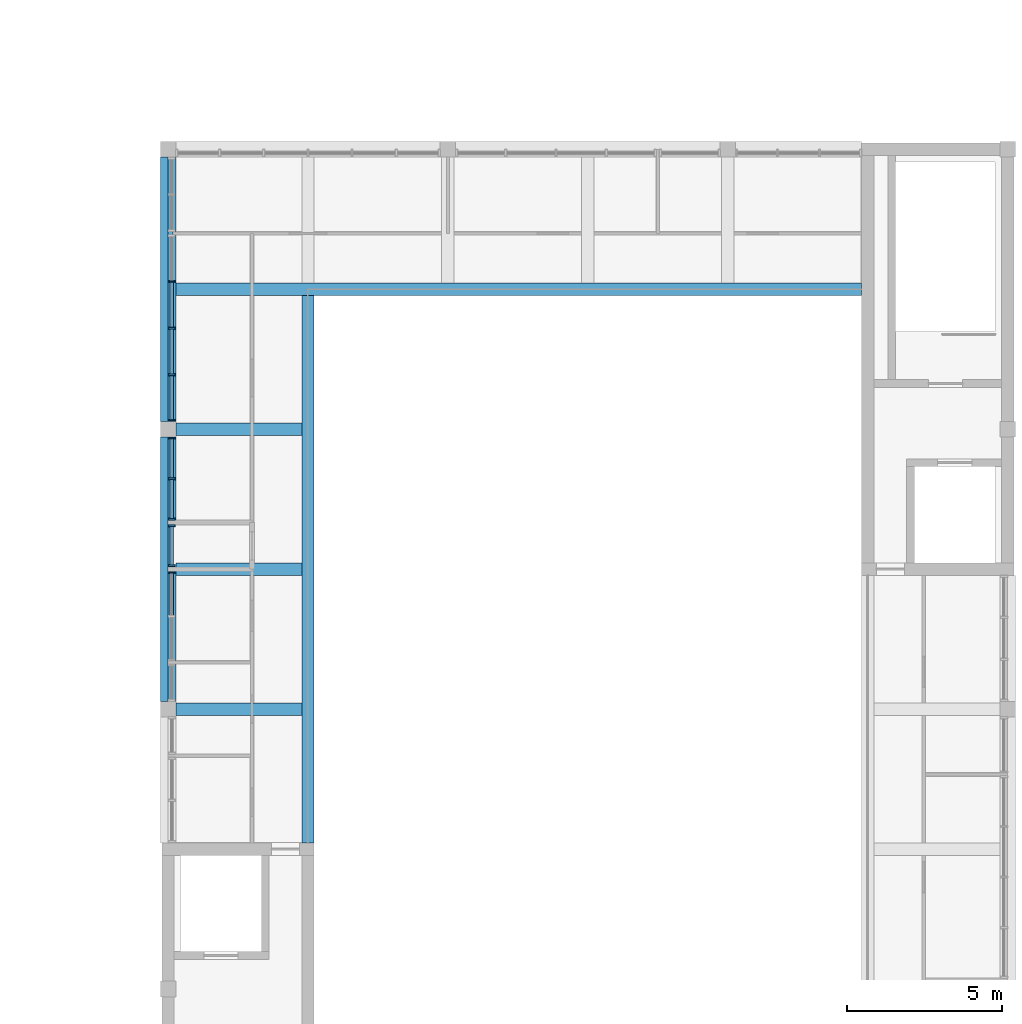
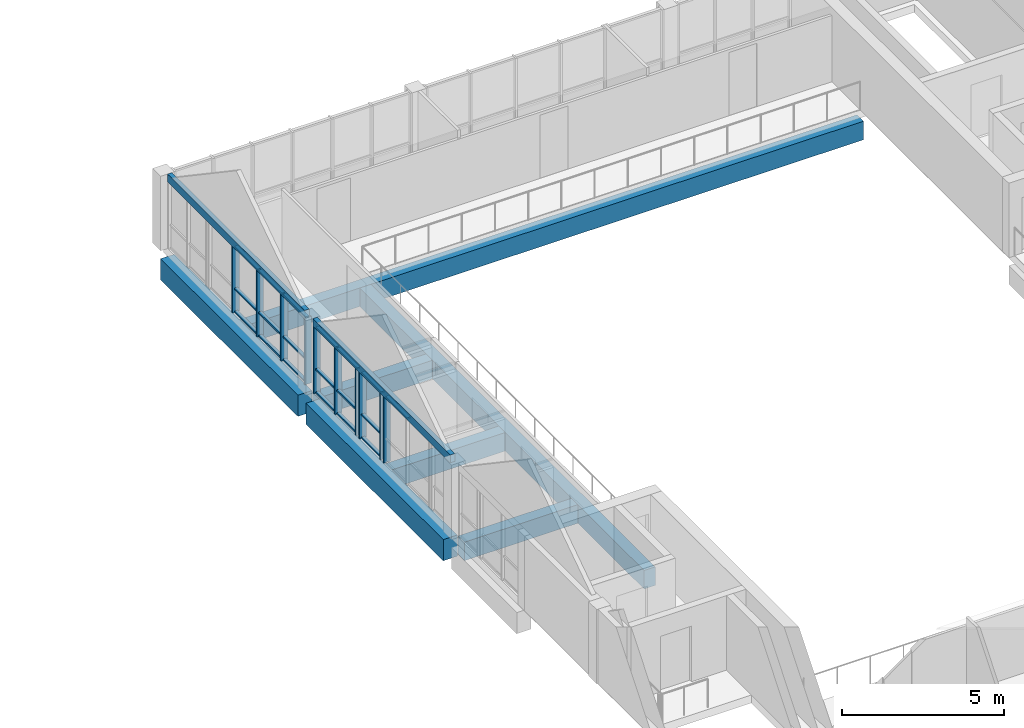
# One storey, part 4 of 50: 29 members, 9 beams, 4 elements without a shape of their own.
"""IFC4 building model written with IfcOpenShell, lengths in metres."""

from ifc_helpers import new_model, si_unit, direction, frame, origin, origin_2d, place, context, subcontext, project, spatial, rectangle, extrude, material, material_profile, profile_set, type_object, element, aggregate, save


model = new_model("IFC4")

# Units and contexts
model_context = context("Model", 3, precision=1e-05, world=origin(), true_north=direction((0.0, 1.0)))
body_context = subcontext(model_context, "Body", "Model", "MODEL_VIEW")
ifc_project = project(units=[si_unit("LENGTHUNIT", "METRE"), si_unit("AREAUNIT", "SQUARE_METRE"), si_unit("VOLUMEUNIT", "CUBIC_METRE"), si_unit("PLANEANGLEUNIT", "RADIAN"), si_unit("MASSUNIT", "GRAM", prefix="KILO")], contexts=[model_context])

# Site, building, storey
site_placement = place(None, origin())
site = spatial("IfcSite", under=ifc_project, at=site_placement, CompositionType="ELEMENT")
building_placement = place(site_placement, origin())
building = spatial("IfcBuilding", under=site, at=building_placement, Name="Merrow Basin Faculty of Sciences", CompositionType="ELEMENT")
storey_placement = place(building_placement, frame((0.0, 0.0, 18.0)))
storey = spatial("IfcBuildingStorey", under=building, at=storey_placement, Name="L04", CompositionType="ELEMENT", Elevation=18.0)

# Curtain wall, member
ifc_material_1 = material(Name="Aluminium alloy 6063", Category="aluminium")
curtain_wall_type = type_object("IfcCurtainWallType", Name="Atrium unitised curtain wall 240", PredefinedType="NOTDEFINED", material=ifc_material_1)
curtain_wall_1_placement = place(storey_placement, origin())
curtain_wall_1 = element("IfcCurtainWall", 1, at=curtain_wall_1_placement, inside=storey, type_object=curtain_wall_type, Name="W curtain wall L04 4", PredefinedType="NOTDEFINED")
ifc_material_2 = material(Name="Aluminium alloy 6063", Category="aluminium")
ifc_material_profile_1 = material_profile(ifc_material_2, rectangle(XDim=0.239990234375, YDim=0.06005859375, at=origin_2d()))
ifc_profile_set_1 = profile_set([ifc_material_profile_1], Name="Aluminium alloy 6063")
member_type_1 = type_object("IfcMemberType", Name="Aluminium mullion 60x240", PredefinedType="MULLION", material=ifc_profile_set_1)
member_1_placement = place(storey_placement, frame((45.1201171875, 22.39501953125, 0.0), z_axis=(0.0, 0.0, 1.0), x_axis=(-1.0, 0.0, 0.0)))
member_1 = element("IfcMember", 2, at=member_1_placement, type_object=member_type_1, Name="CW5 mullion 3", PredefinedType="MULLION", context=body_context, shape_type="SweptSolid", body=[
    extrude(rectangle(XDim=0.239990234375, YDim=0.06005859375, at=origin_2d()), origin(), (0.0, 0.0, 1.0), 2.512939453125),
])

# Curtain wall, members
curtain_wall_2_placement = place(storey_placement, origin())
curtain_wall_2 = element("IfcCurtainWall", 3, at=curtain_wall_2_placement, inside=storey, type_object=curtain_wall_type, Name="W curtain wall L04 5", PredefinedType="NOTDEFINED")
member_2_placement = place(storey_placement, frame((45.1201171875, 22.60498046875, 0.0), z_axis=(0.0, 0.0, 1.0), x_axis=(-1.0, 0.0, 0.0)))
member_2 = element("IfcMember", 4, at=member_2_placement, type_object=member_type_1, Name="CW5 mullion 1", PredefinedType="MULLION", context=body_context, shape_type="SweptSolid", body=[
    extrude(rectangle(XDim=0.239990234375, YDim=0.06005859375, at=origin_2d()), origin(), (0.0, 0.0, 1.0), 2.512939453125),
])
member_3_placement = place(storey_placement, frame((45.1201171875, 23.89501953125, 0.0), z_axis=(0.0, 0.0, 1.0), x_axis=(-1.0, 0.0, 0.0)))
member_3 = element("IfcMember", 5, at=member_3_placement, type_object=member_type_1, Name="CW5 mullion 2", PredefinedType="MULLION", context=body_context, shape_type="SweptSolid", body=[
    extrude(rectangle(XDim=0.239990234375, YDim=0.06005859375, at=origin_2d()), origin(), (0.0, 0.0, 1.0), 2.512939453125),
])

curtain_wall_3_placement = place(storey_placement, origin())
curtain_wall_3 = element("IfcCurtainWall", 6, at=curtain_wall_3_placement, inside=storey, type_object=curtain_wall_type, Name="W curtain wall L04 6", PredefinedType="NOTDEFINED")
member_4_placement = place(storey_placement, frame((45.1201171875, 24.10498046875, 0.0), z_axis=(0.0, 0.0, 1.0), x_axis=(-1.0, 0.0, 0.0)))
member_4 = element("IfcMember", 7, at=member_4_placement, type_object=member_type_1, Name="CW5 mullion 1", PredefinedType="MULLION", context=body_context, shape_type="SweptSolid", body=[
    extrude(rectangle(XDim=0.239990234375, YDim=0.06005859375, at=origin_2d()), origin(), (0.0, 0.0, 1.0), 2.512939453125),
])
member_5_placement = place(storey_placement, frame((45.1201171875, 25.41259765625, 0.0), z_axis=(0.0, 0.0, 1.0), x_axis=(-1.0, 0.0, 0.0)))
member_5 = element("IfcMember", 8, at=member_5_placement, type_object=member_type_1, Name="CW5 mullion 2", PredefinedType="MULLION", context=body_context, shape_type="SweptSolid", body=[
    extrude(rectangle(XDim=0.239990234375, YDim=0.06005859375, at=origin_2d()), origin(), (0.0, 0.0, 1.0), 2.512939453125),
])
member_6_placement = place(storey_placement, frame((45.1201171875, 26.719970703125, 0.0), z_axis=(0.0, 0.0, 1.0), x_axis=(-1.0, 0.0, 0.0)))
member_6 = element("IfcMember", 9, at=member_6_placement, type_object=member_type_1, Name="CW5 mullion 3", PredefinedType="MULLION", context=body_context, shape_type="SweptSolid", body=[
    extrude(rectangle(XDim=0.239990234375, YDim=0.06005859375, at=origin_2d()), origin(), (0.0, 0.0, 1.0), 2.512939453125),
])

curtain_wall_4_placement = place(storey_placement, origin())
curtain_wall_4 = element("IfcCurtainWall", 10, at=curtain_wall_4_placement, inside=storey, type_object=curtain_wall_type, Name="W curtain wall L04 7", PredefinedType="NOTDEFINED")
member_7_placement = place(storey_placement, frame((45.1201171875, 27.280029296875, 0.0), z_axis=(0.0, 0.0, 1.0), x_axis=(-1.0, 0.0, 0.0)))
member_7 = element("IfcMember", 11, at=member_7_placement, type_object=member_type_1, Name="CW5 mullion 1", PredefinedType="MULLION", context=body_context, shape_type="SweptSolid", body=[
    extrude(rectangle(XDim=0.239990234375, YDim=0.06005859375, at=origin_2d()), origin(), (0.0, 0.0, 1.0), 2.512939453125),
])
member_8_placement = place(storey_placement, frame((45.1201171875, 28.75, 0.0), z_axis=(0.0, 0.0, 1.0), x_axis=(-1.0, 0.0, 0.0)))
member_8 = element("IfcMember", 12, at=member_8_placement, type_object=member_type_1, Name="CW5 mullion 2", PredefinedType="MULLION", context=body_context, shape_type="SweptSolid", body=[
    extrude(rectangle(XDim=0.239990234375, YDim=0.06005859375, at=origin_2d()), origin(), (0.0, 0.0, 1.0), 2.512939453125),
])
member_9_placement = place(storey_placement, frame((45.1201171875, 30.25, 0.0), z_axis=(0.0, 0.0, 1.0), x_axis=(-1.0, 0.0, 0.0)))
member_9 = element("IfcMember", 13, at=member_9_placement, type_object=member_type_1, Name="CW5 mullion 3", PredefinedType="MULLION", context=body_context, shape_type="SweptSolid", body=[
    extrude(rectangle(XDim=0.239990234375, YDim=0.06005859375, at=origin_2d()), origin(), (0.0, 0.0, 1.0), 2.512939453125),
])
member_10_placement = place(storey_placement, frame((45.1201171875, 31.75, 0.0), z_axis=(0.0, 0.0, 1.0), x_axis=(-1.0, 0.0, 0.0)))
member_10 = element("IfcMember", 14, at=member_10_placement, type_object=member_type_1, Name="CW5 mullion 4", PredefinedType="MULLION", context=body_context, shape_type="SweptSolid", body=[
    extrude(rectangle(XDim=0.239990234375, YDim=0.06005859375, at=origin_2d()), origin(), (0.0, 0.0, 1.0), 2.512939453125),
])

# Member
ifc_material_3 = material(Name="Aluminium alloy 6063", Category="aluminium")
ifc_material_profile_2 = material_profile(ifc_material_3, rectangle(XDim=0.1201171875, YDim=0.06005859375, at=origin_2d()))
ifc_profile_set_2 = profile_set([ifc_material_profile_2], Name="Aluminium alloy 6063")
member_type_2 = type_object("IfcMemberType", Name="Aluminium transom 60x120", PredefinedType="USERDEFINED", material=ifc_profile_set_2)
member_11_placement = place(storey_placement, frame((45.1201171875, 21.017578125, 2.48291015625), z_axis=(0.0, 1.0, 0.0), x_axis=(-1.0, 0.0, 0.0)))
member_11 = element("IfcMember", 15, at=member_11_placement, type_object=member_type_2, Name="CW5 transom 2.3", ObjectType="TRANSOM", PredefinedType="USERDEFINED", context=body_context, shape_type="SweptSolid", body=[
    extrude(rectangle(XDim=0.1201171875, YDim=0.06005859375, at=origin_2d()), origin(), (0.0, 0.0, 1.0), 1.347412109375),
])

aggregate(curtain_wall_1, [member_1, member_11])

member_12_placement = place(storey_placement, frame((45.1201171875, 22.635009765625, 0.030029296875), z_axis=(0.0, 1.0, 0.0), x_axis=(-1.0, 0.0, 0.0)))
member_12 = element("IfcMember", 16, at=member_12_placement, type_object=member_type_2, Name="CW5 transom 1.1", ObjectType="TRANSOM", PredefinedType="USERDEFINED", context=body_context, shape_type="SweptSolid", body=[
    extrude(rectangle(XDim=0.1201171875, YDim=0.06005859375, at=origin_2d()), origin(), (0.0, 0.0, 1.0), 1.22998046875),
])

member_13_placement = place(storey_placement, frame((45.1201171875, 22.635009765625, 0.89990234375), z_axis=(0.0, 1.0, 0.0), x_axis=(-1.0, 0.0, 0.0)))
member_13 = element("IfcMember", 17, at=member_13_placement, type_object=member_type_2, Name="CW5 transom 1.2", ObjectType="TRANSOM", PredefinedType="USERDEFINED", context=body_context, shape_type="SweptSolid", body=[
    extrude(rectangle(XDim=0.1201171875, YDim=0.06005859375, at=origin_2d()), origin(), (0.0, 0.0, 1.0), 1.22998046875),
])

member_14_placement = place(storey_placement, frame((45.1201171875, 22.635009765625, 2.48291015625), z_axis=(0.0, 1.0, 0.0), x_axis=(-1.0, 0.0, 0.0)))
member_14 = element("IfcMember", 18, at=member_14_placement, type_object=member_type_2, Name="CW5 transom 1.3", ObjectType="TRANSOM", PredefinedType="USERDEFINED", context=body_context, shape_type="SweptSolid", body=[
    extrude(rectangle(XDim=0.1201171875, YDim=0.06005859375, at=origin_2d()), origin(), (0.0, 0.0, 1.0), 1.22998046875),
])

aggregate(curtain_wall_2, [member_2, member_3, member_12, member_13, member_14])

member_15_placement = place(storey_placement, frame((45.1201171875, 24.135009765625, 0.030029296875), z_axis=(0.0, 1.0, 0.0), x_axis=(-1.0, 0.0, 0.0)))
member_15 = element("IfcMember", 19, at=member_15_placement, type_object=member_type_2, Name="CW5 transom 1.1", ObjectType="TRANSOM", PredefinedType="USERDEFINED", context=body_context, shape_type="SweptSolid", body=[
    extrude(rectangle(XDim=0.1201171875, YDim=0.06005859375, at=origin_2d()), origin(), (0.0, 0.0, 1.0), 1.24755859375),
])

member_16_placement = place(storey_placement, frame((45.1201171875, 24.135009765625, 0.89990234375), z_axis=(0.0, 1.0, 0.0), x_axis=(-1.0, 0.0, 0.0)))
member_16 = element("IfcMember", 20, at=member_16_placement, type_object=member_type_2, Name="CW5 transom 1.2", ObjectType="TRANSOM", PredefinedType="USERDEFINED", context=body_context, shape_type="SweptSolid", body=[
    extrude(rectangle(XDim=0.1201171875, YDim=0.06005859375, at=origin_2d()), origin(), (0.0, 0.0, 1.0), 1.24755859375),
])

member_17_placement = place(storey_placement, frame((45.1201171875, 24.135009765625, 2.48291015625), z_axis=(0.0, 1.0, 0.0), x_axis=(-1.0, 0.0, 0.0)))
member_17 = element("IfcMember", 21, at=member_17_placement, type_object=member_type_2, Name="CW5 transom 1.3", ObjectType="TRANSOM", PredefinedType="USERDEFINED", context=body_context, shape_type="SweptSolid", body=[
    extrude(rectangle(XDim=0.1201171875, YDim=0.06005859375, at=origin_2d()), origin(), (0.0, 0.0, 1.0), 1.24755859375),
])

member_18_placement = place(storey_placement, frame((45.1201171875, 25.4423828125, 0.030029296875), z_axis=(0.0, 1.0, 0.0), x_axis=(-1.0, 0.0, 0.0)))
member_18 = element("IfcMember", 22, at=member_18_placement, type_object=member_type_2, Name="CW5 transom 2.1", ObjectType="TRANSOM", PredefinedType="USERDEFINED", context=body_context, shape_type="SweptSolid", body=[
    extrude(rectangle(XDim=0.1201171875, YDim=0.06005859375, at=origin_2d()), origin(), (0.0, 0.0, 1.0), 1.24755859375),
])

member_19_placement = place(storey_placement, frame((45.1201171875, 25.4423828125, 0.89990234375), z_axis=(0.0, 1.0, 0.0), x_axis=(-1.0, 0.0, 0.0)))
member_19 = element("IfcMember", 23, at=member_19_placement, type_object=member_type_2, Name="CW5 transom 2.2", ObjectType="TRANSOM", PredefinedType="USERDEFINED", context=body_context, shape_type="SweptSolid", body=[
    extrude(rectangle(XDim=0.1201171875, YDim=0.06005859375, at=origin_2d()), origin(), (0.0, 0.0, 1.0), 1.24755859375),
])

member_20_placement = place(storey_placement, frame((45.1201171875, 25.4423828125, 2.48291015625), z_axis=(0.0, 1.0, 0.0), x_axis=(-1.0, 0.0, 0.0)))
member_20 = element("IfcMember", 24, at=member_20_placement, type_object=member_type_2, Name="CW5 transom 2.3", ObjectType="TRANSOM", PredefinedType="USERDEFINED", context=body_context, shape_type="SweptSolid", body=[
    extrude(rectangle(XDim=0.1201171875, YDim=0.06005859375, at=origin_2d()), origin(), (0.0, 0.0, 1.0), 1.24755859375),
])

aggregate(curtain_wall_3, [member_4, member_5, member_6, member_15, member_16, member_17, member_18, member_19, member_20])

member_21_placement = place(storey_placement, frame((45.1201171875, 27.31005859375, 0.030029296875), z_axis=(0.0, 1.0, 0.0), x_axis=(-1.0, 0.0, 0.0)))
member_21 = element("IfcMember", 25, at=member_21_placement, type_object=member_type_2, Name="CW5 transom 1.1", ObjectType="TRANSOM", PredefinedType="USERDEFINED", context=body_context, shape_type="SweptSolid", body=[
    extrude(rectangle(XDim=0.1201171875, YDim=0.06005859375, at=origin_2d()), origin(), (0.0, 0.0, 1.0), 1.409912109375),
])

member_22_placement = place(storey_placement, frame((45.1201171875, 27.31005859375, 0.89990234375), z_axis=(0.0, 1.0, 0.0), x_axis=(-1.0, 0.0, 0.0)))
member_22 = element("IfcMember", 26, at=member_22_placement, type_object=member_type_2, Name="CW5 transom 1.2", ObjectType="TRANSOM", PredefinedType="USERDEFINED", context=body_context, shape_type="SweptSolid", body=[
    extrude(rectangle(XDim=0.1201171875, YDim=0.06005859375, at=origin_2d()), origin(), (0.0, 0.0, 1.0), 1.409912109375),
])

member_23_placement = place(storey_placement, frame((45.1201171875, 27.31005859375, 2.48291015625), z_axis=(0.0, 1.0, 0.0), x_axis=(-1.0, 0.0, 0.0)))
member_23 = element("IfcMember", 27, at=member_23_placement, type_object=member_type_2, Name="CW5 transom 1.3", ObjectType="TRANSOM", PredefinedType="USERDEFINED", context=body_context, shape_type="SweptSolid", body=[
    extrude(rectangle(XDim=0.1201171875, YDim=0.06005859375, at=origin_2d()), origin(), (0.0, 0.0, 1.0), 1.409912109375),
])

member_24_placement = place(storey_placement, frame((45.1201171875, 28.780029296875, 0.030029296875), z_axis=(0.0, 1.0, 0.0), x_axis=(-1.0, 0.0, 0.0)))
member_24 = element("IfcMember", 28, at=member_24_placement, type_object=member_type_2, Name="CW5 transom 2.1", ObjectType="TRANSOM", PredefinedType="USERDEFINED", context=body_context, shape_type="SweptSolid", body=[
    extrude(rectangle(XDim=0.1201171875, YDim=0.06005859375, at=origin_2d()), origin(), (0.0, 0.0, 1.0), 1.43994140625),
])

member_25_placement = place(storey_placement, frame((45.1201171875, 28.780029296875, 0.89990234375), z_axis=(0.0, 1.0, 0.0), x_axis=(-1.0, 0.0, 0.0)))
member_25 = element("IfcMember", 29, at=member_25_placement, type_object=member_type_2, Name="CW5 transom 2.2", ObjectType="TRANSOM", PredefinedType="USERDEFINED", context=body_context, shape_type="SweptSolid", body=[
    extrude(rectangle(XDim=0.1201171875, YDim=0.06005859375, at=origin_2d()), origin(), (0.0, 0.0, 1.0), 1.43994140625),
])

member_26_placement = place(storey_placement, frame((45.1201171875, 28.780029296875, 2.48291015625), z_axis=(0.0, 1.0, 0.0), x_axis=(-1.0, 0.0, 0.0)))
member_26 = element("IfcMember", 30, at=member_26_placement, type_object=member_type_2, Name="CW5 transom 2.3", ObjectType="TRANSOM", PredefinedType="USERDEFINED", context=body_context, shape_type="SweptSolid", body=[
    extrude(rectangle(XDim=0.1201171875, YDim=0.06005859375, at=origin_2d()), origin(), (0.0, 0.0, 1.0), 1.43994140625),
])

member_27_placement = place(storey_placement, frame((45.1201171875, 30.280029296875, 0.030029296875), z_axis=(0.0, 1.0, 0.0), x_axis=(-1.0, 0.0, 0.0)))
member_27 = element("IfcMember", 31, at=member_27_placement, type_object=member_type_2, Name="CW5 transom 3.1", ObjectType="TRANSOM", PredefinedType="USERDEFINED", context=body_context, shape_type="SweptSolid", body=[
    extrude(rectangle(XDim=0.1201171875, YDim=0.06005859375, at=origin_2d()), origin(), (0.0, 0.0, 1.0), 1.43994140625),
])

member_28_placement = place(storey_placement, frame((45.1201171875, 30.280029296875, 0.89990234375), z_axis=(0.0, 1.0, 0.0), x_axis=(-1.0, 0.0, 0.0)))
member_28 = element("IfcMember", 32, at=member_28_placement, type_object=member_type_2, Name="CW5 transom 3.2", ObjectType="TRANSOM", PredefinedType="USERDEFINED", context=body_context, shape_type="SweptSolid", body=[
    extrude(rectangle(XDim=0.1201171875, YDim=0.06005859375, at=origin_2d()), origin(), (0.0, 0.0, 1.0), 1.43994140625),
])

member_29_placement = place(storey_placement, frame((45.1201171875, 30.280029296875, 2.48291015625), z_axis=(0.0, 1.0, 0.0), x_axis=(-1.0, 0.0, 0.0)))
member_29 = element("IfcMember", 33, at=member_29_placement, type_object=member_type_2, Name="CW5 transom 3.3", ObjectType="TRANSOM", PredefinedType="USERDEFINED", context=body_context, shape_type="SweptSolid", body=[
    extrude(rectangle(XDim=0.1201171875, YDim=0.06005859375, at=origin_2d()), origin(), (0.0, 0.0, 1.0), 1.43994140625),
])

aggregate(curtain_wall_4, [member_7, member_8, member_9, member_10, member_21, member_22, member_23, member_24, member_25, member_26, member_27, member_28, member_29])

# Beams
ifc_material_4 = material(Name="Concrete C40/50", Category="concrete")
ifc_material_profile_3 = material_profile(ifc_material_4, rectangle(XDim=0.5, YDim=0.800048828125, at=origin_2d()))
ifc_profile_set_3 = profile_set([ifc_material_profile_3], Name="Concrete C40/50")
beam_type_1 = type_object("IfcBeamType", Name="Beam RC500x800 C40/50", PredefinedType="BEAM", material=ifc_profile_set_3)
for number, where, z_axis, x_axis, name in (
    (34, (45.0, 18.25, -0.699951171875), (0.0, 1.0, 0.0), (-1.0, 0.0, 0.0), "B4 L04 008"),
    (35, (45.0, 27.25, -0.699951171875), (0.0, 1.0, 0.0), (-1.0, 0.0, 0.0), "B4 L04 009"),
):
    element("IfcBeam", number, at=place(storey_placement, frame(where, z_axis=z_axis, x_axis=x_axis)), inside=storey, type_object=beam_type_1, Name=name, PredefinedType="BEAM", context=body_context, shape_type="SweptSolid", body=[
        extrude(rectangle(XDim=0.5, YDim=0.800048828125, at=origin_2d()), origin(), (0.0, 0.0, 1.0), 8.5),
    ])
ifc_material_5 = material(Name="Concrete C40/50", Category="concrete")
ifc_material_profile_4 = material_profile(ifc_material_5, rectangle(XDim=0.39990234375, YDim=0.699951171875, at=origin_2d()))
ifc_profile_set_4 = profile_set([ifc_material_profile_4], Name="Concrete C40/50")
beam_type_2 = type_object("IfcBeamType", Name="Gallery edge beam RC400x700 C40/50", PredefinedType="BEAM", material=ifc_profile_set_4)
beam_1_placement = place(storey_placement, frame((45.25, 31.5, -0.64990234375), z_axis=(1.0, 0.0, 0.0), x_axis=(0.0, 1.0, 0.0)))
element("IfcBeam", 36, at=beam_1_placement, inside=storey, type_object=beam_type_2, Name="GB1 L04 014", PredefinedType="BEAM", context=body_context, shape_type="SweptSolid", body=[
    extrude(rectangle(XDim=0.39990234375, YDim=0.699951171875, at=origin_2d()), origin(), (0.0, 0.0, 1.0), 22.050048828125),
])
beam_2_placement = place(storey_placement, frame((49.5, 13.699951171875, -0.64990234375), z_axis=(0.0, 1.0, 0.0), x_axis=(-1.0, 0.0, 0.0)))
element("IfcBeam", 37, at=beam_2_placement, inside=storey, type_object=beam_type_2, Name="GB1 L04 015", PredefinedType="BEAM", context=body_context, shape_type="SweptSolid", body=[
    extrude(rectangle(XDim=0.39990234375, YDim=0.699951171875, at=origin_2d()), origin(), (0.0, 0.0, 1.0), 17.60009765625),
])
for number, where, z_axis, x_axis, name in (
    (38, (45.25, 22.5, -0.64990234375), (1.0, 0.0, 0.0), (0.0, 1.0, 0.0), "GB1 L04 026"),
    (39, (45.25, 18.0, -0.64990234375), (1.0, 0.0, 0.0), (0.0, 1.0, 0.0), "GB1 L04 028"),
    (40, (45.25, 27.0, -0.64990234375), (1.0, 0.0, 0.0), (0.0, 1.0, 0.0), "GB1 L04 030"),
):
    element("IfcBeam", number, at=place(storey_placement, frame(where, z_axis=z_axis, x_axis=x_axis)), inside=storey, type_object=beam_type_2, Name=name, PredefinedType="BEAM", context=body_context, shape_type="SweptSolid", body=[
        extrude(rectangle(XDim=0.39990234375, YDim=0.699951171875, at=origin_2d()), origin(), (0.0, 0.0, 1.0), 4.050048828125),
    ])
ifc_material_6 = material(Name="Concrete C40/50", Category="concrete")
ifc_material_profile_5 = material_profile(ifc_material_6, rectangle(XDim=0.159912109375, YDim=0.300048828125, at=origin_2d()))
ifc_profile_set_5 = profile_set([ifc_material_profile_5], Name="Concrete C40/50")
beam_type_3 = type_object("IfcBeamType", Name="Precast sill beam 160 x 300 Concrete C40/50", PredefinedType="BEAM", material=ifc_profile_set_5)
for number, where, z_axis, x_axis, name in (
    (41, (45.080078125, 18.25, 2.6630859375), (0.0, 1.0, 0.0), (-1.0, 0.0, 0.0), "West frame infill sill beam"),
    (42, (45.080078125, 27.25, 2.6630859375), (0.0, 1.0, 0.0), (-1.0, 0.0, 0.0), "West frame infill sill beam"),
):
    element("IfcBeam", number, at=place(storey_placement, frame(where, z_axis=z_axis, x_axis=x_axis)), inside=storey, type_object=beam_type_3, Name=name, PredefinedType="BEAM", context=body_context, shape_type="SweptSolid", body=[
        extrude(rectangle(XDim=0.159912109375, YDim=0.300048828125, at=origin_2d()), origin(), (0.0, 0.0, 1.0), 8.5),
    ])

save(model, "model.ifc")
